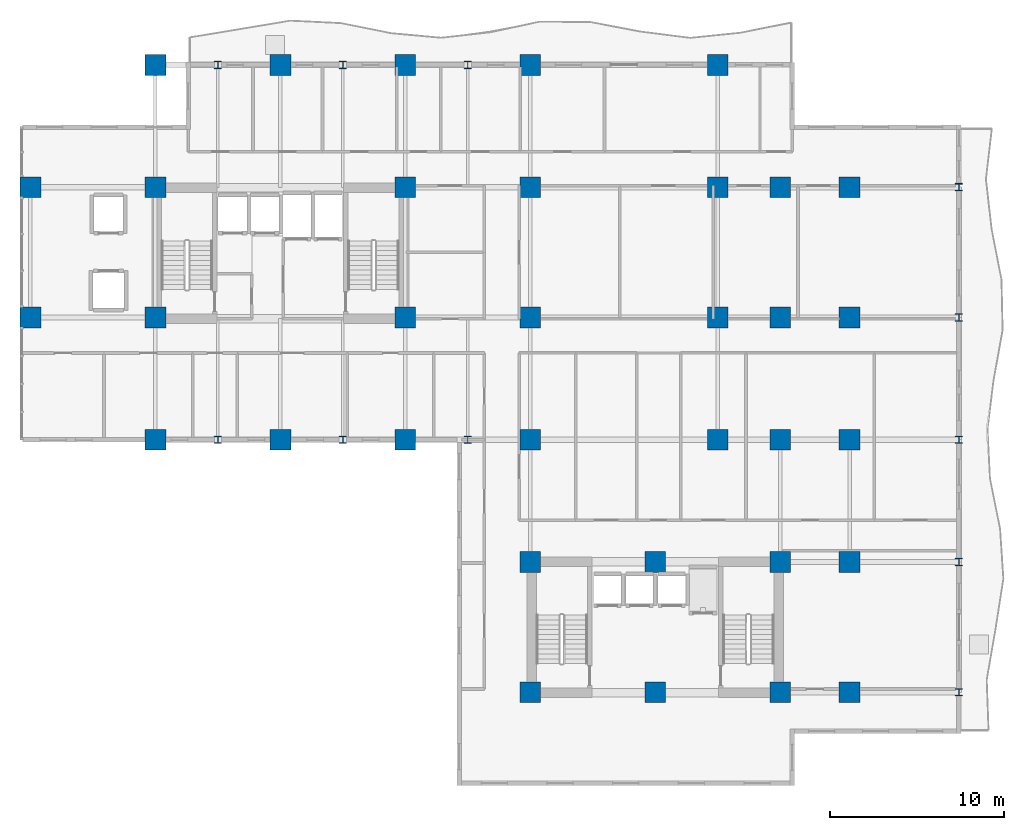
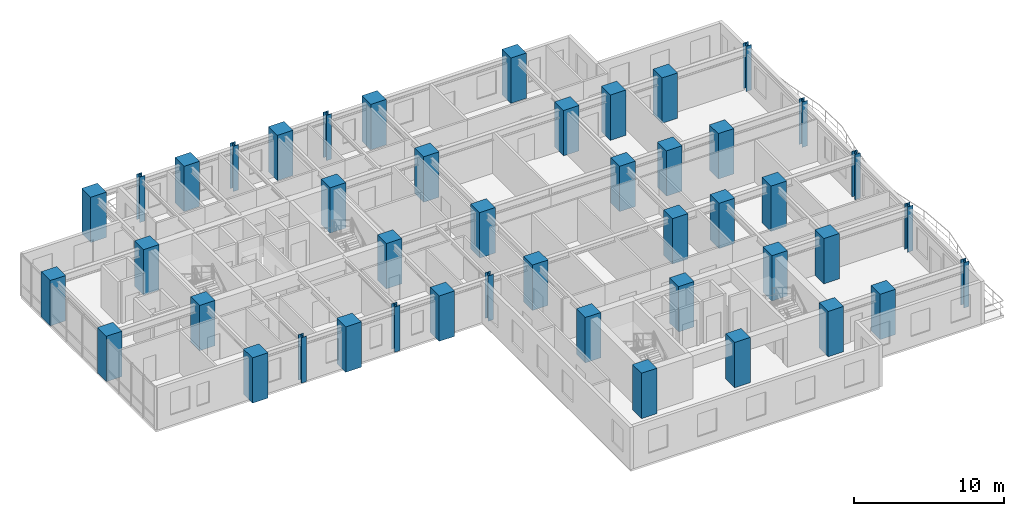
# One storey, part 1 of 18: 45 columns.
"""IFC4 building model written with IfcOpenShell, lengths in metres."""

from ifc_helpers import new_model, si_unit, direction, frame, origin, origin_2d, place, context, subcontext, project, spatial, rectangle, i_section, extrude, source, transform, mapped, material, material_profile, profile_set, type_object, element, save


model = new_model("IFC4")

# Units and contexts
model_context = context("Model", 3, precision=1e-05, world=origin(), true_north=direction((0.0, 1.0)))
body_context = subcontext(model_context, "Body", "Model", "MODEL_VIEW")
ifc_project = project(units=[si_unit("LENGTHUNIT", "METRE"), si_unit("AREAUNIT", "SQUARE_METRE"), si_unit("VOLUMEUNIT", "CUBIC_METRE"), si_unit("PLANEANGLEUNIT", "RADIAN"), si_unit("MASSUNIT", "GRAM", prefix="KILO")], contexts=[model_context])

# Site, building, storey
site_placement = place(None, origin())
site = spatial("IfcSite", under=ifc_project, at=site_placement, CompositionType="ELEMENT")
building_placement = place(site_placement, origin())
building = spatial("IfcBuilding", under=site, at=building_placement, Name="Kaliganga Portal Commons", CompositionType="ELEMENT")
storey_placement = place(building_placement, frame((0.0, 0.0, 123.0)))
storey = spatial("IfcBuildingStorey", under=building, at=storey_placement, Name="L31", CompositionType="ELEMENT", Elevation=123.0)

# Columns
ifc_material_1 = material(Name="Concrete C60/75", Category="concrete")
ifc_material_profile_1 = material_profile(ifc_material_1, rectangle(XDim=1.199951171875, YDim=1.199951171875, at=origin_2d()), Name="RC 1200x1200")
ifc_profile_set_1 = profile_set([ifc_material_profile_1], Name="Concrete C60/75")
column_type_1 = type_object("IfcColumnType", Name="COL-MEGA-Z2", PredefinedType="COLUMN", material=ifc_profile_set_1)
shared_shape_1 = source(origin(), body_context, "Body", "SweptSolid", [
    extrude(rectangle(XDim=1.199951171875, YDim=1.199951171875, at=origin_2d()), origin(), (0.0, 0.0, 1.0), 3.699951171875),
])
for number, where, z_axis, x_axis, name in (
    (1, (7.199951171875, 28.64990234375, 0.0), (0.0, 0.0, 1.0), (1.0, 0.0, 0.0), "Column MC-03 L31"),
    (2, (7.199951171875, 36.14990234375, 0.0), (0.0, 0.0, 1.0), (1.0, 0.0, 0.0), "Column MC-03 L31"),
    (3, (14.39990234375, 21.60009765625, 0.0), (0.0, 0.0, 1.0), (1.0, 0.0, 0.0), "Column MC-03 L31"),
    (4, (14.39990234375, 28.64990234375, 0.0), (0.0, 0.0, 1.0), (1.0, 0.0, 0.0), "Column MC-03 L31"),
    (5, (14.39990234375, 36.14990234375, 0.0), (0.0, 0.0, 1.0), (1.0, 0.0, 0.0), "Column MC-03 L31"),
    (6, (14.39990234375, 43.199951171875, 0.0), (0.0, 0.0, 1.0), (1.0, 0.0, 0.0), "Column MC-03 L31"),
    (7, (21.60009765625, 21.60009765625, 0.0), (0.0, 0.0, 1.0), (1.0, 0.0, 0.0), "Column MC-03 L31"),
    (8, (21.60009765625, 43.199951171875, 0.0), (0.0, 0.0, 1.0), (1.0, 0.0, 0.0), "Column MC-03 L31"),
    (9, (28.800048828125, 21.60009765625, 0.0), (0.0, 0.0, 1.0), (1.0, 0.0, 0.0), "Column MC-03 L31"),
    (10, (28.800048828125, 28.64990234375, 0.0), (0.0, 0.0, 1.0), (1.0, 0.0, 0.0), "Column MC-03 L31"),
    (11, (28.800048828125, 36.14990234375, 0.0), (0.0, 0.0, 1.0), (1.0, 0.0, 0.0), "Column MC-03 L31"),
    (12, (28.800048828125, 43.199951171875, 0.0), (0.0, 0.0, 1.0), (1.0, 0.0, 0.0), "Column MC-03 L31"),
    (13, (36.0, 21.60009765625, 0.0), (0.0, 0.0, 1.0), (1.0, 0.0, 0.0), "Column MC-03 L31"),
    (14, (36.0, 43.199951171875, 0.0), (0.0, 0.0, 1.0), (1.0, 0.0, 0.0), "Column MC-03 L31"),
    (15, (36.0, 28.64990234375, 0.0), (0.0, 0.0, 1.0), (1.0, 0.0, 0.0), "Column MC-03 L31"),
    (16, (36.0, 36.14990234375, 0.0), (0.0, 0.0, 1.0), (1.0, 0.0, 0.0), "Column MC-03 L31"),
    (17, (46.800048828125, 21.60009765625, 0.0), (0.0, 0.0, 1.0), (1.0, 0.0, 0.0), "Column MC-03 L31"),
    (18, (46.800048828125, 28.64990234375, 0.0), (0.0, 0.0, 1.0), (1.0, 0.0, 0.0), "Column MC-03 L31"),
    (19, (46.800048828125, 36.14990234375, 0.0), (0.0, 0.0, 1.0), (1.0, 0.0, 0.0), "Column MC-03 L31"),
    (20, (46.800048828125, 43.199951171875, 0.0), (0.0, 0.0, 1.0), (1.0, 0.0, 0.0), "Column MC-03 L31"),
    (21, (36.0, 7.050048828125, 0.0), (0.0, 0.0, 1.0), (1.0, 0.0, 0.0), "Column MC-03 L31"),
    (22, (36.0, 14.550048828125, 0.0), (0.0, 0.0, 1.0), (1.0, 0.0, 0.0), "Column MC-03 L31"),
    (23, (43.199951171875, 7.050048828125, 0.0), (0.0, 0.0, 1.0), (1.0, 0.0, 0.0), "Column MC-03 L31"),
    (24, (43.199951171875, 14.550048828125, 0.0), (0.0, 0.0, 1.0), (1.0, 0.0, 0.0), "Column MC-03 L31"),
    (25, (50.39990234375, 7.050048828125, 0.0), (0.0, 0.0, 1.0), (1.0, 0.0, 0.0), "Column MC-03 L31"),
    (26, (50.39990234375, 14.550048828125, 0.0), (0.0, 0.0, 1.0), (1.0, 0.0, 0.0), "Column MC-03 L31"),
    (27, (50.39990234375, 21.60009765625, 0.0), (0.0, 0.0, 1.0), (1.0, 0.0, 0.0), "Column MC-03 L31"),
    (28, (50.39990234375, 28.64990234375, 0.0), (0.0, 0.0, 1.0), (1.0, 0.0, 0.0), "Column MC-03 L31"),
    (29, (50.39990234375, 36.14990234375, 0.0), (0.0, 0.0, 1.0), (1.0, 0.0, 0.0), "Column MC-03 L31"),
    (30, (54.39990234375, 7.050048828125, 0.0), (0.0, 0.0, 1.0), (1.0, 0.0, 0.0), "Column MC-03 L31"),
    (31, (54.39990234375, 14.550048828125, 0.0), (0.0, 0.0, 1.0), (1.0, 0.0, 0.0), "Column MC-03 L31"),
    (32, (54.39990234375, 21.60009765625, 0.0), (0.0, 0.0, 1.0), (1.0, 0.0, 0.0), "Column MC-03 L31"),
    (33, (54.39990234375, 28.64990234375, 0.0), (0.0, 0.0, 1.0), (1.0, 0.0, 0.0), "Column MC-03 L31"),
    (34, (54.39990234375, 36.14990234375, 0.0), (0.0, 0.0, 1.0), (1.0, 0.0, 0.0), "Column MC-03 L31"),
):
    element("IfcColumn", number, at=place(storey_placement, frame(where, z_axis=z_axis, x_axis=x_axis)), inside=storey, type_object=column_type_1, Name=name, PredefinedType="COLUMN", context=body_context, shape_type="MappedRepresentation", body=[
        mapped(shared_shape_1, transform((0.0, 0.0, 0.0), x_axis=(1.0, 0.0, 0.0), y_axis=(0.0, 1.0, 0.0), z_axis=(0.0, 0.0, 1.0), scale=1.0)),
    ])
ifc_material_2 = material(Name="Structural steel S460M", Category="steel")
ifc_material_profile_2 = material_profile(ifc_material_2, i_section(OverallWidth=0.408935546875, OverallDepth=0.429931640625, WebThickness=0.0244140625, FlangeThickness=0.033447265625, FilletRadius=0.014892578125, at=origin_2d()), Name="HD 400x421")
ifc_profile_set_2 = profile_set([ifc_material_profile_2], Name="Structural steel S460M wide-flange")
column_type_2 = type_object("IfcColumnType", Name="COL-TUBE-B2", PredefinedType="COLUMN", material=ifc_profile_set_2)
shared_shape_2 = source(origin(), body_context, "Body", "SweptSolid", [
    extrude(i_section(OverallWidth=0.408935546875, OverallDepth=0.429931640625, WebThickness=0.0244140625, FlangeThickness=0.033447265625, FilletRadius=0.014892578125, at=origin_2d()), origin(), (0.0, 0.0, 1.0), 3.699951171875),
])
for number, where, z_axis, x_axis, name in (
    (35, (18.0, 21.60009765625, 0.0), (0.0, 0.0, 1.0), (1.0, 0.0, 0.0), "Column TC-02 L31"),
    (36, (18.0, 43.199951171875, 0.0), (0.0, 0.0, 1.0), (1.0, 0.0, 0.0), "Column TC-02 L31"),
    (37, (25.199951171875, 21.60009765625, 0.0), (0.0, 0.0, 1.0), (1.0, 0.0, 0.0), "Column TC-02 L31"),
    (38, (25.199951171875, 43.199951171875, 0.0), (0.0, 0.0, 1.0), (1.0, 0.0, 0.0), "Column TC-02 L31"),
    (39, (32.39990234375, 21.60009765625, 0.0), (0.0, 0.0, 1.0), (1.0, 0.0, 0.0), "Column TC-02 L31"),
    (40, (32.39990234375, 43.199951171875, 0.0), (0.0, 0.0, 1.0), (1.0, 0.0, 0.0), "Column TC-02 L31"),
    (41, (60.699951171875, 7.050048828125, 0.0), (0.0, 0.0, 1.0), (1.0, 0.0, 0.0), "Column TC-02 L31"),
    (42, (60.699951171875, 14.550048828125, 0.0), (0.0, 0.0, 1.0), (1.0, 0.0, 0.0), "Column TC-02 L31"),
    (43, (60.699951171875, 21.60009765625, 0.0), (0.0, 0.0, 1.0), (1.0, 0.0, 0.0), "Column TC-02 L31"),
    (44, (60.699951171875, 28.64990234375, 0.0), (0.0, 0.0, 1.0), (1.0, 0.0, 0.0), "Column TC-02 L31"),
    (45, (60.699951171875, 36.14990234375, 0.0), (0.0, 0.0, 1.0), (1.0, 0.0, 0.0), "Column TC-02 L31"),
):
    element("IfcColumn", number, at=place(storey_placement, frame(where, z_axis=z_axis, x_axis=x_axis)), inside=storey, type_object=column_type_2, Name=name, PredefinedType="COLUMN", context=body_context, shape_type="MappedRepresentation", body=[
        mapped(shared_shape_2, transform((0.0, 0.0, 0.0), x_axis=(1.0, 0.0, 0.0), y_axis=(0.0, 1.0, 0.0), z_axis=(0.0, 0.0, 1.0), scale=1.0)),
    ])

save(model, "model.ifc")
